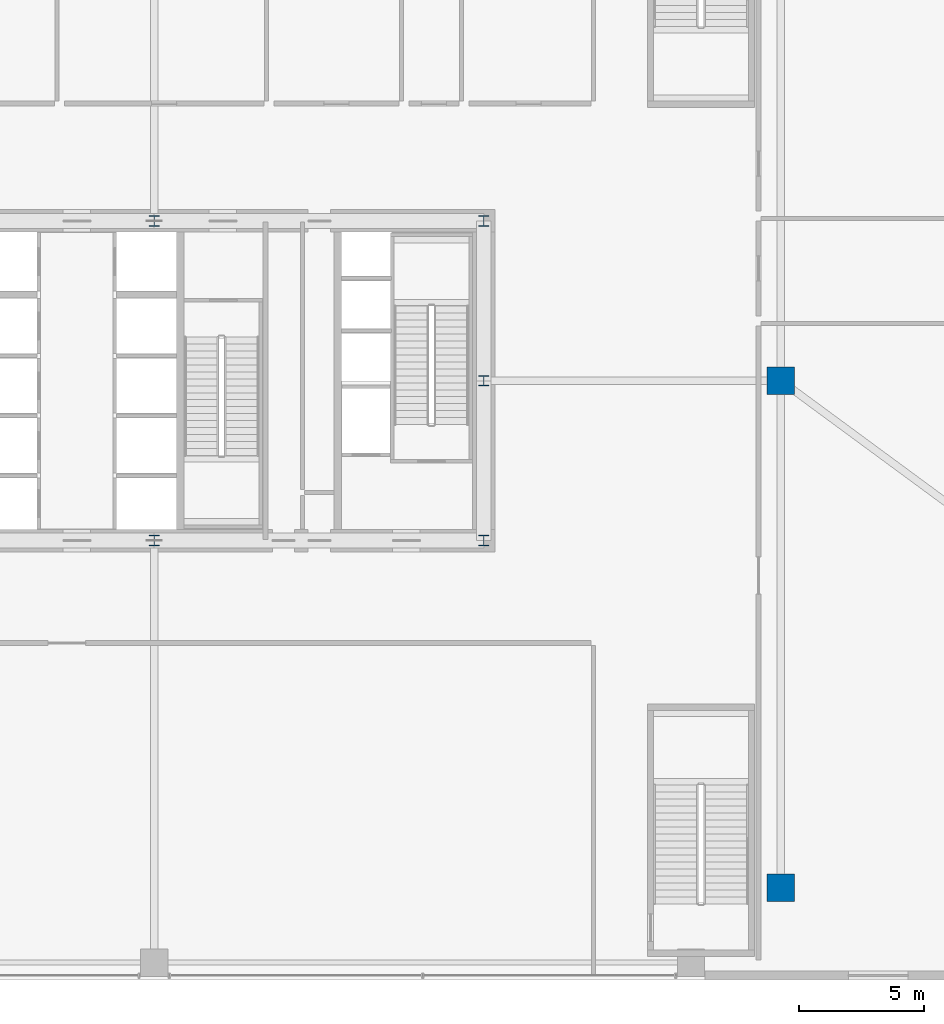
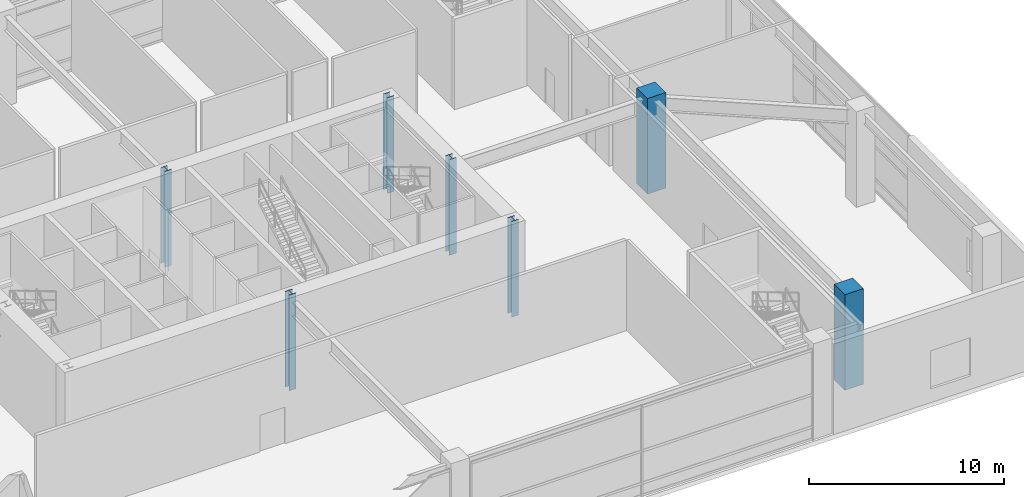
# One storey, part 2 of 39: 7 columns.
"""IFC4 building model written with IfcOpenShell, lengths in metres."""

from ifc_helpers import new_model, si_unit, direction, frame, origin, origin_2d, place, context, subcontext, project, spatial, rectangle, i_section, extrude, source, transform, mapped, material, material_profile, profile_set, type_object, element, save


model = new_model("IFC4")

# Units and contexts
model_context = context("Model", 3, precision=1e-05, world=origin(), true_north=direction((0.0, 1.0)))
body_context = subcontext(model_context, "Body", "Model", "MODEL_VIEW")
ifc_project = project(units=[si_unit("LENGTHUNIT", "METRE"), si_unit("AREAUNIT", "SQUARE_METRE"), si_unit("VOLUMEUNIT", "CUBIC_METRE"), si_unit("PLANEANGLEUNIT", "RADIAN"), si_unit("MASSUNIT", "GRAM", prefix="KILO"), si_unit("THERMODYNAMICTEMPERATUREUNIT", "KELVIN"), si_unit("POWERUNIT", "WATT")], contexts=[model_context])

# Site, building, storey
site_placement = place(None, origin())
site = spatial("IfcSite", under=ifc_project, at=site_placement, CompositionType="ELEMENT")
building_placement = place(site_placement, origin())
building = spatial("IfcBuilding", under=site, at=building_placement, Name="Yuzanri Waterfront Tower", CompositionType="ELEMENT")
storey_placement = place(building_placement, frame((0.0, 0.0, 19.800048828125)))
storey = spatial("IfcBuildingStorey", under=building, at=storey_placement, Name="L05", CompositionType="ELEMENT", Elevation=19.800048828125)

# Columns
ifc_material_1 = material(Name="Steel Q355B", Category="steel")
ifc_material_profile_1 = material_profile(ifc_material_1, i_section(OverallWidth=0.406982421875, OverallDepth=0.427978515625, WebThickness=0.02001953125, FlangeThickness=0.034912109375, at=origin_2d()), Name="HW 428x407x20x35")
ifc_profile_set_1 = profile_set([ifc_material_profile_1], Name="Steel Q355B")
column_type_1 = type_object("IfcColumnType", Name="Core Post Q355B HW 428x407x20x35", PredefinedType="COLUMN", material=ifc_profile_set_1)
shared_shape_1 = source(origin(), body_context, "Body", "SweptSolid", [
    extrude(i_section(OverallWidth=0.406982421875, OverallDepth=0.427978515625, WebThickness=0.02001953125, FlangeThickness=0.034912109375, at=origin_2d()), origin(), (0.0, 0.0, 1.0), 6.0),
])
for number, where, z_axis, x_axis, name in (
    (1, (37.0, 19.39990234375, 0.0), (0.0, 0.0, 1.0), (1.0, 0.0, 0.0), "L05 Core Boundary Column CP2"),
    (2, (50.199951171875, 19.39990234375, 0.0), (0.0, 0.0, 1.0), (1.0, 0.0, 0.0), "L05 Core Boundary Column CP3"),
    (3, (50.199951171875, 25.800048828125, 0.0), (0.0, 0.0, 1.0), (1.0, 0.0, 0.0), "L05 Core Boundary Column CP5"),
    (4, (37.0, 32.199951171875, 0.0), (0.0, 0.0, 1.0), (1.0, 0.0, 0.0), "L05 Core Boundary Column CP7"),
    (5, (50.199951171875, 32.199951171875, 0.0), (0.0, 0.0, 1.0), (1.0, 0.0, 0.0), "L05 Core Boundary Column CP8"),
):
    element("IfcColumn", number, at=place(storey_placement, frame(where, z_axis=z_axis, x_axis=x_axis)), inside=storey, type_object=column_type_1, Name=name, PredefinedType="COLUMN", context=body_context, shape_type="MappedRepresentation", body=[
        mapped(shared_shape_1, transform((0.0, 0.0, 0.0), scale=1.0)),
    ])
ifc_material_2 = material(Name="Concrete C50", Category="concrete")
ifc_material_profile_2 = material_profile(ifc_material_2, rectangle(XDim=1.10009765625, YDim=1.10009765625, at=origin_2d()), Name="RC 1100x1100")
ifc_profile_set_2 = profile_set([ifc_material_profile_2], Name="Concrete C50")
column_type_2 = type_object("IfcColumnType", Name="Podium RC Column C50 1100x1100", PredefinedType="COLUMN", material=ifc_profile_set_2)
shared_shape_2 = source(origin(), body_context, "Body", "SweptSolid", [
    extrude(rectangle(XDim=1.10009765625, YDim=1.10009765625, at=origin_2d()), origin(), (0.0, 0.0, 1.0), 6.0),
])
for number, where, z_axis, x_axis, name in (
    (6, (62.10009765625, 5.5, 0.0), (0.0, 0.0, 1.0), (1.0, 0.0, 0.0), "L05 Podium Column PTE1"),
    (7, (62.10009765625, 25.800048828125, 0.0), (0.0, 0.0, 1.0), (1.0, 0.0, 0.0), "L05 Podium Column PTE2"),
):
    element("IfcColumn", number, at=place(storey_placement, frame(where, z_axis=z_axis, x_axis=x_axis)), inside=storey, type_object=column_type_2, Name=name, PredefinedType="COLUMN", context=body_context, shape_type="MappedRepresentation", body=[
        mapped(shared_shape_2, transform((0.0, 0.0, 0.0), scale=1.0)),
    ])

save(model, "model.ifc")
